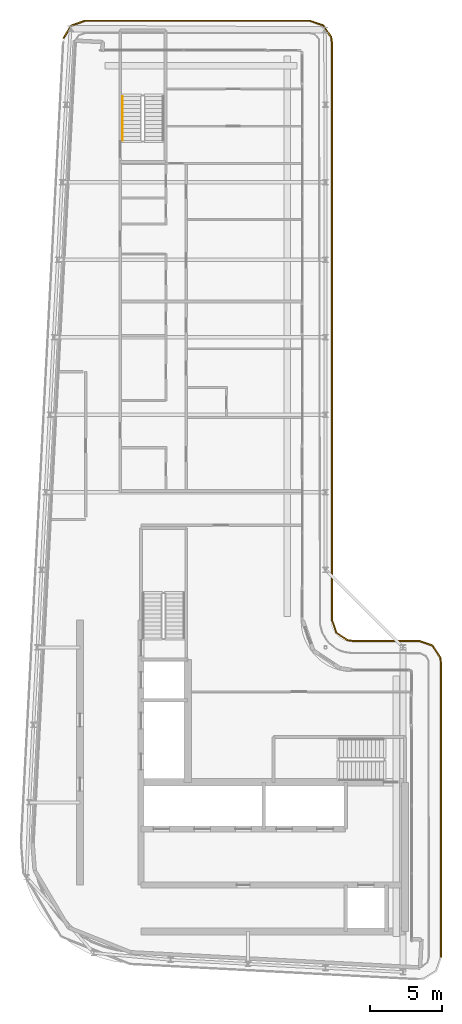
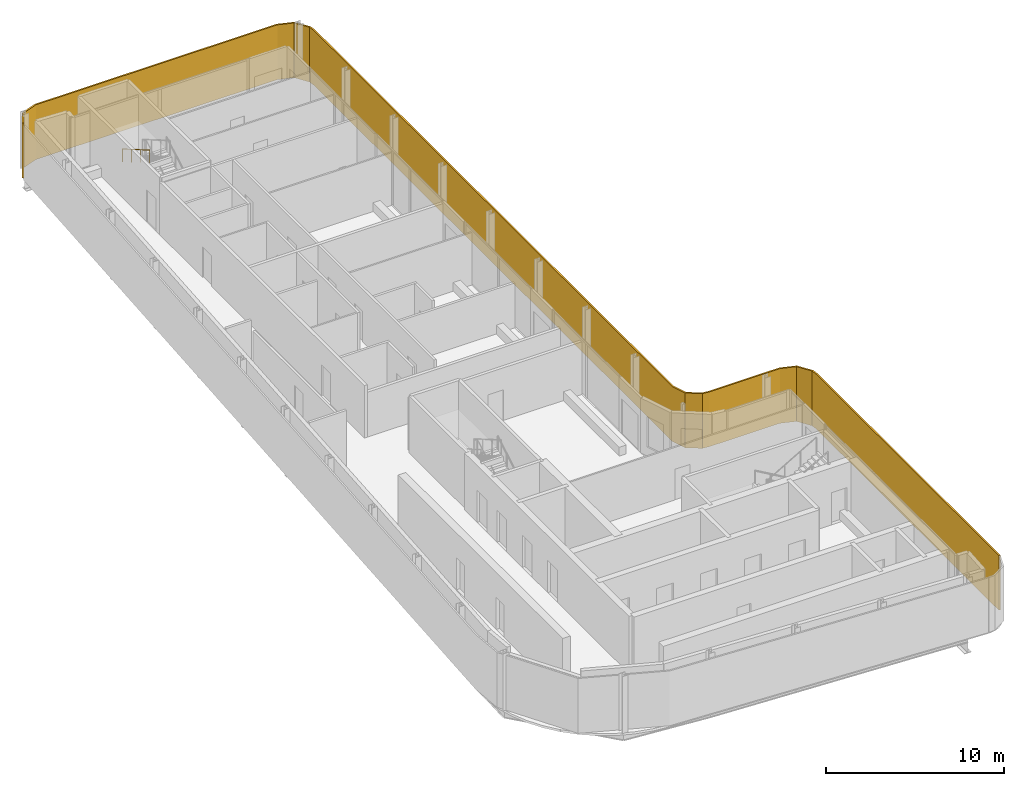
# One storey, part 15 of 17: 1 railing, 1 shading device.
"""IFC4 building model written with IfcOpenShell, lengths in metres."""

from ifc_helpers import new_model, si_unit, direction, frame, origin, origin_2d, place, context, subcontext, project, spatial, polyline, circle, outline, extrude, material, layer, layer_set, type_object, element, save


model = new_model("IFC4")

# Units and contexts
model_context = context("Model", 3, precision=1e-05, world=origin(), true_north=direction((0.0, 1.0)))
body_context = subcontext(model_context, "Body", "Model", "MODEL_VIEW")
ifc_project = project(units=[si_unit("LENGTHUNIT", "METRE"), si_unit("AREAUNIT", "SQUARE_METRE"), si_unit("VOLUMEUNIT", "CUBIC_METRE"), si_unit("PLANEANGLEUNIT", "RADIAN"), si_unit("MASSUNIT", "GRAM", prefix="KILO")], contexts=[model_context])

# Site, building, storey
site_placement = place(None, origin())
site = spatial("IfcSite", under=ifc_project, at=site_placement, CompositionType="ELEMENT")
building_placement = place(site_placement, origin())
building = spatial("IfcBuilding", under=site, at=building_placement, Name="Kheshtan School and Residences Tower", CompositionType="ELEMENT")
storey_placement = place(building_placement, frame((0.0, 0.0, 342.199951171875)))
storey = spatial("IfcBuildingStorey", under=building, at=storey_placement, Name="L80", CompositionType="ELEMENT", Elevation=342.199951171875)

# Shading device
ifc_material_1 = material(Name="Terracotta lattice, extruded ceramic", Category="masonry")
ifc_layer = layer(ifc_material_1, 0.10009765625)
ifc_layer_set = layer_set([ifc_layer], Name="Loggia screen, terracotta lattice")
shading_device_type = type_object("IfcShadingDeviceType", Name="Loggia screen, terracotta lattice", PredefinedType="USERDEFINED", material=ifc_layer_set)
shading_device_placement = place(storey_placement, origin())
element("IfcShadingDevice", 1, at=shading_device_placement, inside=storey, type_object=shading_device_type, Name="Screen L80 1", ObjectType="SCREEN", PredefinedType="USERDEFINED", context=body_context, shape_type="SweptSolid", body=[
    extrude(outline(polyline([(29.382080078125, 87.98388671875), (29.89990234375, 88.85693359375), (30.85498046875, 89.199951171875), (46.5, 89.199951171875), (47.4130859375, 88.889892578125), (47.948974609375, 88.087890625), (48.0, 87.699951171875), (48.0, 47.5), (48.31005859375, 46.5869140625), (49.112060546875, 46.051025390625), (49.5, 46.0), (54.10009765625, 46.0), (55.012939453125, 45.68994140625), (55.549072265625, 44.887939453125), (55.60009765625, 44.5), (55.60009765625, 24.02294921875), (55.699951171875, 24.02294921875), (55.699951171875, 44.507080078125), (55.64501953125, 44.924072265625), (55.076904296875, 45.77392578125), (54.116943359375, 46.10009765625), (49.507080078125, 46.10009765625), (49.14794921875, 46.14697265625), (48.39404296875, 46.65087890625), (48.10009765625, 47.51708984375), (48.10009765625, 87.70703125), (48.044921875, 88.1240234375), (47.47705078125, 88.97412109375), (46.51708984375, 89.300048828125), (30.837890625, 89.300048828125), (29.83203125, 88.93896484375), (29.2958984375, 88.034912109375), (29.382080078125, 87.98388671875)])), origin(), (0.0, 0.0, 1.0), 3.75),
])

# Railing
ifc_material_2 = material(Name="Stainless steel handrail", Category="steel")
railing_type = type_object("IfcRailingType", Name="Stair handrail 900", PredefinedType="HANDRAIL", material=ifc_material_2)
railing_placement = place(storey_placement, frame((33.449951171875, 83.97998046875, 2.112548828125)))
element("IfcRailing", 2, at=railing_placement, inside=storey, type_object=railing_type, Name="L80 ST3 stair handrail 2", PredefinedType="HANDRAIL", context=body_context, shape_type="SweptSolid", body=[
    extrude(circle(Radius=0.02392578125, at=origin_2d()), frame((0.0, 0.0, 0.8759765625), z_axis=(0.0, -0.864890721111, 0.501960198159), x_axis=(1.0, 0.0, 0.0)), (0.0, 0.0, 1.0), 3.561279296875),
    extrude(circle(Radius=0.02099609375, at=origin_2d()), origin(), (0.0, 0.0, 1.0), 0.851806640625),
    extrude(circle(Radius=0.02099609375, at=origin_2d()), frame((0.0, -1.026611328125, 0.595947265625)), (0.0, 0.0, 1.0), 0.851806640625),
    extrude(circle(Radius=0.02099609375, at=origin_2d()), frame((0.0, -2.053466796875, 1.191650390625)), (0.0, 0.0, 1.0), 0.851806640625),
    extrude(circle(Radius=0.02099609375, at=origin_2d()), frame((0.0, -3.080078125, 1.78759765625)), (0.0, 0.0, 1.0), 0.851806640625),
])

save(model, "model.ifc")
